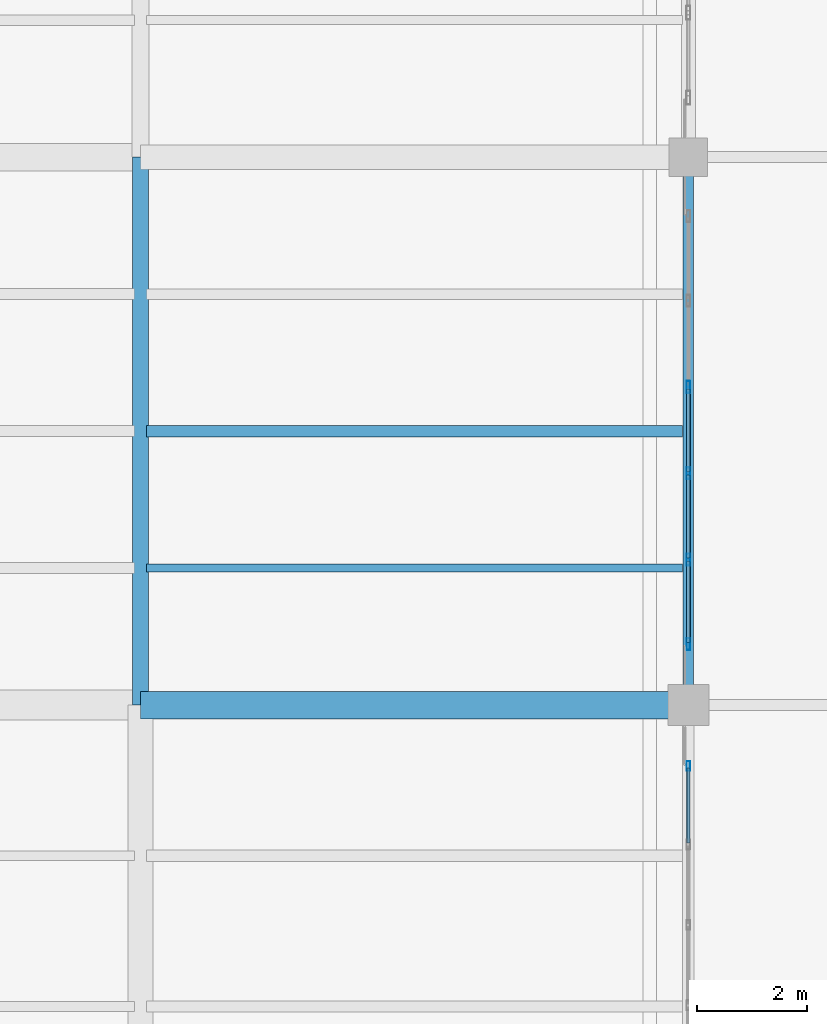
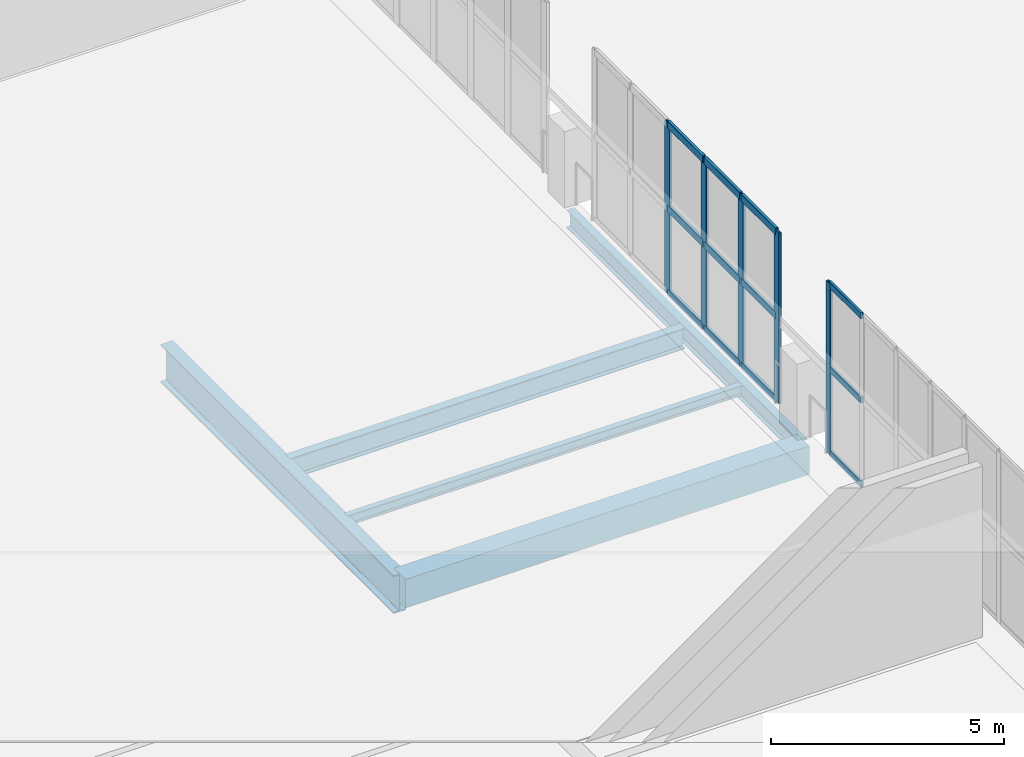
# One storey, part 70 of 136: 17 members, 5 beams, 2 elements without a shape of their own.
"""IFC4 building model written with IfcOpenShell, lengths in metres."""

from ifc_helpers import new_model, si_unit, direction, frame, origin, origin_2d, place, context, subcontext, project, spatial, rectangle, hollow_rectangle, i_section, extrude, material, layer, layer_set, material_profile, profile_set, type_object, element, aggregate, save


model = new_model("IFC4")

# Units and contexts
model_context = context("Model", 3, precision=1e-05, world=origin(), true_north=direction((0.0, 1.0)))
body_context = subcontext(model_context, "Body", "Model", "MODEL_VIEW")
ifc_project = project(units=[si_unit("LENGTHUNIT", "METRE"), si_unit("AREAUNIT", "SQUARE_METRE"), si_unit("VOLUMEUNIT", "CUBIC_METRE"), si_unit("PLANEANGLEUNIT", "RADIAN"), si_unit("MASSUNIT", "GRAM", prefix="KILO")], contexts=[model_context])

# Site, building, storey
site_placement = place(None, origin())
site = spatial("IfcSite", under=ifc_project, at=site_placement, CompositionType="ELEMENT")
building_placement = place(site_placement, origin())
building = spatial("IfcBuilding", under=site, at=building_placement, Name="Brinegate Civic Arena", CompositionType="ELEMENT")
storey_placement = place(building_placement, frame((0.0, 0.0, 5.39990234375)))
storey = spatial("IfcBuildingStorey", under=building, at=storey_placement, Name="L01", CompositionType="ELEMENT", Elevation=5.39990234375)

# Curtain wall, member
ifc_material_1 = material(Name="Marine grade aluminium", Category="aluminium")
ifc_layer = layer(ifc_material_1, 0.18505859375, Name="Marine grade aluminium")
ifc_layer_set = layer_set([ifc_layer], Name="Marine grade aluminium")
curtain_wall_type = type_object("IfcCurtainWallType", Name="CW-WING-GLAZED-03", PredefinedType="USERDEFINED", material=ifc_layer_set)
curtain_wall_1_placement = place(storey_placement, origin())
curtain_wall_1 = element("IfcCurtainWall", 1, at=curtain_wall_1_placement, inside=storey, type_object=curtain_wall_type, Name="Curtain Wall CWA-034", ObjectType="GLAZED CURTAIN WALL", PredefinedType="USERDEFINED")
ifc_material_profile_1 = material_profile(ifc_material_1, hollow_rectangle(XDim=0.06494140625, YDim=0.179931640625, WallThickness=0.0048828125, InnerFilletRadius=0.00390625, OuterFilletRadius=0.008056640625, at=origin_2d()), Name="MUL65X180")
ifc_profile_set_1 = profile_set([ifc_material_profile_1], Name="Marine grade aluminium")
member_type_1 = type_object("IfcMemberType", Name="CW-MULLION-65X180", PredefinedType="MULLION", material=ifc_profile_set_1)
member_1_placement = place(storey_placement, frame((190.0, 40.887451171875, 0.0), z_axis=(0.0, 0.0, 1.0), x_axis=(-1.0, 0.0, 0.0)))
member_1 = element("IfcMember", 2, at=member_1_placement, type_object=member_type_1, Name="CWA-034 mullion 7", PredefinedType="MULLION", context=body_context, shape_type="SweptSolid", body=[
    extrude(hollow_rectangle(XDim=0.06494140625, YDim=0.179931640625, WallThickness=0.0048828125, InnerFilletRadius=0.00390625, OuterFilletRadius=0.008056640625, at=origin_2d()), origin(), (0.0, 0.0, 1.0), 4.47021484375),
])

# Curtain wall, members
curtain_wall_2_placement = place(storey_placement, origin())
curtain_wall_2 = element("IfcCurtainWall", 3, at=curtain_wall_2_placement, inside=storey, type_object=curtain_wall_type, Name="Curtain Wall CWA-035", ObjectType="GLAZED CURTAIN WALL", PredefinedType="USERDEFINED")
ifc_material_profile_2 = material_profile(ifc_material_1, hollow_rectangle(XDim=0.06494140625, YDim=0.219970703125, WallThickness=0.006103515625, InnerFilletRadius=0.00390625, OuterFilletRadius=0.008056640625, at=origin_2d()), Name="MUL65X220")
ifc_profile_set_2 = profile_set([ifc_material_profile_2], Name="Marine grade aluminium")
member_type_2 = type_object("IfcMemberType", Name="CW-MULLION-65X220", PredefinedType="MULLION", material=ifc_profile_set_2)
member_2_placement = place(storey_placement, frame((190.0, 43.112548828125, 0.0), z_axis=(0.0, 0.0, 1.0), x_axis=(-1.0, 0.0, 0.0)))
member_2 = element("IfcMember", 4, at=member_2_placement, type_object=member_type_2, Name="CWA-035 mullion 1", PredefinedType="MULLION", context=body_context, shape_type="SweptSolid", body=[
    extrude(hollow_rectangle(XDim=0.06494140625, YDim=0.219970703125, WallThickness=0.006103515625, InnerFilletRadius=0.00390625, OuterFilletRadius=0.008056640625, at=origin_2d()), origin(), (0.0, 0.0, 1.0), 4.47021484375),
])
member_3_placement = place(storey_placement, frame((190.0, 44.655029296875, 0.0), z_axis=(0.0, 0.0, 1.0), x_axis=(-1.0, 0.0, 0.0)))
member_3 = element("IfcMember", 5, at=member_3_placement, type_object=member_type_2, Name="CWA-035 mullion 2", PredefinedType="MULLION", context=body_context, shape_type="SweptSolid", body=[
    extrude(hollow_rectangle(XDim=0.06494140625, YDim=0.219970703125, WallThickness=0.006103515625, InnerFilletRadius=0.00390625, OuterFilletRadius=0.008056640625, at=origin_2d()), origin(), (0.0, 0.0, 1.0), 4.47021484375),
])
member_4_placement = place(storey_placement, frame((190.0, 46.22998046875, 0.0), z_axis=(0.0, 0.0, 1.0), x_axis=(-1.0, 0.0, 0.0)))
member_4 = element("IfcMember", 6, at=member_4_placement, type_object=member_type_2, Name="CWA-035 mullion 3", PredefinedType="MULLION", context=body_context, shape_type="SweptSolid", body=[
    extrude(hollow_rectangle(XDim=0.06494140625, YDim=0.219970703125, WallThickness=0.006103515625, InnerFilletRadius=0.00390625, OuterFilletRadius=0.008056640625, at=origin_2d()), origin(), (0.0, 0.0, 1.0), 4.47021484375),
])
member_5_placement = place(storey_placement, frame((190.0, 47.804931640625, 0.0), z_axis=(0.0, 0.0, 1.0), x_axis=(-1.0, 0.0, 0.0)))
member_5 = element("IfcMember", 7, at=member_5_placement, type_object=member_type_2, Name="CWA-035 mullion 4", PredefinedType="MULLION", context=body_context, shape_type="SweptSolid", body=[
    extrude(hollow_rectangle(XDim=0.06494140625, YDim=0.219970703125, WallThickness=0.006103515625, InnerFilletRadius=0.00390625, OuterFilletRadius=0.008056640625, at=origin_2d()), origin(), (0.0, 0.0, 1.0), 4.47021484375),
])

# Member
ifc_material_profile_3 = material_profile(ifc_material_1, hollow_rectangle(XDim=0.06494140625, YDim=0.1650390625, WallThickness=0.0048828125, InnerFilletRadius=0.00390625, OuterFilletRadius=0.008056640625, at=origin_2d()), Name="TRN65X165")
ifc_profile_set_3 = profile_set([ifc_material_profile_3], Name="Marine grade aluminium")
member_type_3 = type_object("IfcMemberType", Name="CW-TRANSOM-65X165", PredefinedType="USERDEFINED", material=ifc_profile_set_3)
member_6_placement = place(storey_placement, frame((190.0, 39.485107421875, 0.03271484375), z_axis=(0.0, 1.0, 0.0), x_axis=(-1.0, 0.0, 0.0)))
member_6 = element("IfcMember", 8, at=member_6_placement, type_object=member_type_3, Name="CWA-034 transom 6.1", ObjectType="TRANSOM", PredefinedType="USERDEFINED", context=body_context, shape_type="SweptSolid", body=[
    extrude(hollow_rectangle(XDim=0.06494140625, YDim=0.1650390625, WallThickness=0.0048828125, InnerFilletRadius=0.00390625, OuterFilletRadius=0.008056640625, at=origin_2d()), origin(), (0.0, 0.0, 1.0), 1.369873046875),
])

member_7_placement = place(storey_placement, frame((190.0, 39.485107421875, 2.235107421875), z_axis=(0.0, 1.0, 0.0), x_axis=(-1.0, 0.0, 0.0)))
member_7 = element("IfcMember", 9, at=member_7_placement, type_object=member_type_3, Name="CWA-034 transom 6.2", ObjectType="TRANSOM", PredefinedType="USERDEFINED", context=body_context, shape_type="SweptSolid", body=[
    extrude(hollow_rectangle(XDim=0.06494140625, YDim=0.1650390625, WallThickness=0.0048828125, InnerFilletRadius=0.00390625, OuterFilletRadius=0.008056640625, at=origin_2d()), origin(), (0.0, 0.0, 1.0), 1.369873046875),
])

member_8_placement = place(storey_placement, frame((190.0, 39.485107421875, 4.4375), z_axis=(0.0, 1.0, 0.0), x_axis=(-1.0, 0.0, 0.0)))
member_8 = element("IfcMember", 10, at=member_8_placement, type_object=member_type_3, Name="CWA-034 transom 6.3", ObjectType="TRANSOM", PredefinedType="USERDEFINED", context=body_context, shape_type="SweptSolid", body=[
    extrude(hollow_rectangle(XDim=0.06494140625, YDim=0.1650390625, WallThickness=0.0048828125, InnerFilletRadius=0.00390625, OuterFilletRadius=0.008056640625, at=origin_2d()), origin(), (0.0, 0.0, 1.0), 1.369873046875),
])

aggregate(curtain_wall_1, [member_1, member_6, member_7, member_8])

ifc_material_profile_4 = material_profile(ifc_material_1, hollow_rectangle(XDim=0.074951171875, YDim=0.18994140625, WallThickness=0.006103515625, InnerFilletRadius=0.00390625, OuterFilletRadius=0.008056640625, at=origin_2d()), Name="TRN75X190")
ifc_profile_set_4 = profile_set([ifc_material_profile_4], Name="Marine grade aluminium")
member_type_4 = type_object("IfcMemberType", Name="CW-TRANSOM-75X190", PredefinedType="USERDEFINED", material=ifc_profile_set_4)
member_9_placement = place(storey_placement, frame((190.0, 43.14501953125, 0.03759765625), z_axis=(0.0, 1.0, 0.0), x_axis=(-1.0, 0.0, 0.0)))
member_9 = element("IfcMember", 11, at=member_9_placement, type_object=member_type_4, Name="CWA-035 transom 1.1", ObjectType="TRANSOM", PredefinedType="USERDEFINED", context=body_context, shape_type="SweptSolid", body=[
    extrude(hollow_rectangle(XDim=0.074951171875, YDim=0.18994140625, WallThickness=0.006103515625, InnerFilletRadius=0.00390625, OuterFilletRadius=0.008056640625, at=origin_2d()), origin(), (0.0, 0.0, 1.0), 1.4775390625),
])

member_10_placement = place(storey_placement, frame((190.0, 43.14501953125, 2.235107421875), z_axis=(0.0, 1.0, 0.0), x_axis=(-1.0, 0.0, 0.0)))
member_10 = element("IfcMember", 12, at=member_10_placement, type_object=member_type_4, Name="CWA-035 transom 1.2", ObjectType="TRANSOM", PredefinedType="USERDEFINED", context=body_context, shape_type="SweptSolid", body=[
    extrude(hollow_rectangle(XDim=0.074951171875, YDim=0.18994140625, WallThickness=0.006103515625, InnerFilletRadius=0.00390625, OuterFilletRadius=0.008056640625, at=origin_2d()), origin(), (0.0, 0.0, 1.0), 1.4775390625),
])

member_11_placement = place(storey_placement, frame((190.0, 43.14501953125, 4.4326171875), z_axis=(0.0, 1.0, 0.0), x_axis=(-1.0, 0.0, 0.0)))
member_11 = element("IfcMember", 13, at=member_11_placement, type_object=member_type_4, Name="CWA-035 transom 1.3", ObjectType="TRANSOM", PredefinedType="USERDEFINED", context=body_context, shape_type="SweptSolid", body=[
    extrude(hollow_rectangle(XDim=0.074951171875, YDim=0.18994140625, WallThickness=0.006103515625, InnerFilletRadius=0.00390625, OuterFilletRadius=0.008056640625, at=origin_2d()), origin(), (0.0, 0.0, 1.0), 1.4775390625),
])

member_12_placement = place(storey_placement, frame((190.0, 44.6875, 0.03759765625), z_axis=(0.0, 1.0, 0.0), x_axis=(-1.0, 0.0, 0.0)))
member_12 = element("IfcMember", 14, at=member_12_placement, type_object=member_type_4, Name="CWA-035 transom 2.1", ObjectType="TRANSOM", PredefinedType="USERDEFINED", context=body_context, shape_type="SweptSolid", body=[
    extrude(hollow_rectangle(XDim=0.074951171875, YDim=0.18994140625, WallThickness=0.006103515625, InnerFilletRadius=0.00390625, OuterFilletRadius=0.008056640625, at=origin_2d()), origin(), (0.0, 0.0, 1.0), 1.510009765625),
])

member_13_placement = place(storey_placement, frame((190.0, 44.6875, 2.235107421875), z_axis=(0.0, 1.0, 0.0), x_axis=(-1.0, 0.0, 0.0)))
member_13 = element("IfcMember", 15, at=member_13_placement, type_object=member_type_4, Name="CWA-035 transom 2.2", ObjectType="TRANSOM", PredefinedType="USERDEFINED", context=body_context, shape_type="SweptSolid", body=[
    extrude(hollow_rectangle(XDim=0.074951171875, YDim=0.18994140625, WallThickness=0.006103515625, InnerFilletRadius=0.00390625, OuterFilletRadius=0.008056640625, at=origin_2d()), origin(), (0.0, 0.0, 1.0), 1.510009765625),
])

member_14_placement = place(storey_placement, frame((190.0, 44.6875, 4.4326171875), z_axis=(0.0, 1.0, 0.0), x_axis=(-1.0, 0.0, 0.0)))
member_14 = element("IfcMember", 16, at=member_14_placement, type_object=member_type_4, Name="CWA-035 transom 2.3", ObjectType="TRANSOM", PredefinedType="USERDEFINED", context=body_context, shape_type="SweptSolid", body=[
    extrude(hollow_rectangle(XDim=0.074951171875, YDim=0.18994140625, WallThickness=0.006103515625, InnerFilletRadius=0.00390625, OuterFilletRadius=0.008056640625, at=origin_2d()), origin(), (0.0, 0.0, 1.0), 1.510009765625),
])

member_15_placement = place(storey_placement, frame((190.0, 46.262451171875, 0.03759765625), z_axis=(0.0, 1.0, 0.0), x_axis=(-1.0, 0.0, 0.0)))
member_15 = element("IfcMember", 17, at=member_15_placement, type_object=member_type_4, Name="CWA-035 transom 3.1", ObjectType="TRANSOM", PredefinedType="USERDEFINED", context=body_context, shape_type="SweptSolid", body=[
    extrude(hollow_rectangle(XDim=0.074951171875, YDim=0.18994140625, WallThickness=0.006103515625, InnerFilletRadius=0.00390625, OuterFilletRadius=0.008056640625, at=origin_2d()), origin(), (0.0, 0.0, 1.0), 1.510009765625),
])

member_16_placement = place(storey_placement, frame((190.0, 46.262451171875, 2.235107421875), z_axis=(0.0, 1.0, 0.0), x_axis=(-1.0, 0.0, 0.0)))
member_16 = element("IfcMember", 18, at=member_16_placement, type_object=member_type_4, Name="CWA-035 transom 3.2", ObjectType="TRANSOM", PredefinedType="USERDEFINED", context=body_context, shape_type="SweptSolid", body=[
    extrude(hollow_rectangle(XDim=0.074951171875, YDim=0.18994140625, WallThickness=0.006103515625, InnerFilletRadius=0.00390625, OuterFilletRadius=0.008056640625, at=origin_2d()), origin(), (0.0, 0.0, 1.0), 1.510009765625),
])

member_17_placement = place(storey_placement, frame((190.0, 46.262451171875, 4.4326171875), z_axis=(0.0, 1.0, 0.0), x_axis=(-1.0, 0.0, 0.0)))
member_17 = element("IfcMember", 19, at=member_17_placement, type_object=member_type_4, Name="CWA-035 transom 3.3", ObjectType="TRANSOM", PredefinedType="USERDEFINED", context=body_context, shape_type="SweptSolid", body=[
    extrude(hollow_rectangle(XDim=0.074951171875, YDim=0.18994140625, WallThickness=0.006103515625, InnerFilletRadius=0.00390625, OuterFilletRadius=0.008056640625, at=origin_2d()), origin(), (0.0, 0.0, 1.0), 1.510009765625),
])

aggregate(curtain_wall_2, [member_2, member_3, member_4, member_5, member_9, member_10, member_11, member_12, member_13, member_14, member_15, member_16, member_17])

# Beams
ifc_material_2 = material(Name="Steel S355", Category="steel")
ifc_material_profile_5 = material_profile(ifc_material_2, i_section(OverallWidth=0.300048828125, OverallDepth=1.0, WebThickness=0.01904296875, FlangeThickness=0.031982421875, FilletRadius=0.02392578125, at=origin_2d()), Name="W1000X321")
ifc_profile_set_5 = profile_set([ifc_material_profile_5], Name="Steel S355")
beam_type_1 = type_object("IfcBeamType", Name="GIRDER-W1000X321", PredefinedType="BEAM", material=ifc_profile_set_5)
beam_1_placement = place(storey_placement, frame((180.0, 42.0, -0.83984375), z_axis=(0.0, 1.0, 0.0), x_axis=(-1.0, 0.0, 0.0)))
element("IfcBeam", 20, at=beam_1_placement, inside=storey, type_object=beam_type_1, Name="Floor Girder BM-L01-GY-15-04", PredefinedType="BEAM", context=body_context, shape_type="SweptSolid", body=[
    extrude(i_section(OverallWidth=0.300048828125, OverallDepth=1.0, WebThickness=0.01904296875, FlangeThickness=0.031982421875, FilletRadius=0.02392578125, at=origin_2d()), origin(), (0.0, 0.0, 1.0), 10.0),
])
ifc_material_profile_6 = material_profile(ifc_material_2, i_section(OverallWidth=0.14794921875, OverallDepth=0.26611328125, WebThickness=0.008056640625, FlangeThickness=0.012939453125, FilletRadius=0.011962890625, at=origin_2d()), Name="W250X45")
ifc_profile_set_6 = profile_set([ifc_material_profile_6], Name="Steel S355")
beam_type_2 = type_object("IfcBeamType", Name="JOIST-W250X45", PredefinedType="JOIST", material=ifc_profile_set_6)
beam_2_placement = place(storey_placement, frame((180.10595703125, 44.5, -0.472900390625), z_axis=(1.0, 0.0, 0.0), x_axis=(0.0, 1.0, 0.0)))
element("IfcBeam", 21, at=beam_2_placement, inside=storey, type_object=beam_type_2, Name="Secondary Joist BM-L01-JX-15-04-1", PredefinedType="JOIST", context=body_context, shape_type="SweptSolid", body=[
    extrude(i_section(OverallWidth=0.14794921875, OverallDepth=0.26611328125, WebThickness=0.008056640625, FlangeThickness=0.012939453125, FilletRadius=0.011962890625, at=origin_2d()), origin(), (0.0, 0.0, 1.0), 9.7880859375),
])
ifc_material_profile_7 = material_profile(ifc_material_2, i_section(OverallWidth=0.2119140625, OverallDepth=0.5439453125, WebThickness=0.012939453125, FlangeThickness=0.02099609375, FilletRadius=0.01611328125, at=origin_2d()), Name="W530X123")
ifc_profile_set_7 = profile_set([ifc_material_profile_7], Name="Steel S355")
beam_type_3 = type_object("IfcBeamType", Name="JOIST-W530X123", PredefinedType="JOIST", material=ifc_profile_set_7)
beam_3_placement = place(storey_placement, frame((180.10595703125, 47.0, -0.61181640625), z_axis=(1.0, 0.0, 0.0), x_axis=(0.0, 1.0, 0.0)))
element("IfcBeam", 22, at=beam_3_placement, inside=storey, type_object=beam_type_3, Name="Secondary Joist BM-L01-JX-15-04-2", PredefinedType="JOIST", context=body_context, shape_type="SweptSolid", body=[
    extrude(i_section(OverallWidth=0.2119140625, OverallDepth=0.5439453125, WebThickness=0.012939453125, FlangeThickness=0.02099609375, FilletRadius=0.01611328125, at=origin_2d()), origin(), (0.0, 0.0, 1.0), 9.7880859375),
])
ifc_material_3 = material(Name="Concrete C50/60", Category="concrete")
ifc_material_profile_8 = material_profile(ifc_material_3, rectangle(XDim=0.5, YDim=0.75, at=origin_2d()), Name="RCB500X750")
ifc_profile_set_8 = profile_set([ifc_material_profile_8], Name="Concrete C50/60")
beam_type_4 = type_object("IfcBeamType", Name="RCG-500X750", PredefinedType="BEAM", material=ifc_profile_set_8)
beam_4_placement = place(storey_placement, frame((180.0, 42.0, -0.71484375), z_axis=(1.0, 0.0, 0.0), x_axis=(0.0, 1.0, 0.0)))
element("IfcBeam", 23, at=beam_4_placement, inside=storey, type_object=beam_type_4, Name="Floor Girder BM-L01-GX-15-04", PredefinedType="BEAM", context=body_context, shape_type="SweptSolid", body=[
    extrude(rectangle(XDim=0.5, YDim=0.75, at=origin_2d()), origin(), (0.0, 0.0, 1.0), 10.0),
])
ifc_material_profile_9 = material_profile(ifc_material_2, i_section(OverallWidth=0.193115234375, OverallDepth=0.466064453125, WebThickness=0.010986328125, FlangeThickness=0.01904296875, FilletRadius=0.014892578125, at=origin_2d()), Name="W460X97")
ifc_profile_set_9 = profile_set([ifc_material_profile_9], Name="Steel S355")
beam_type_5 = type_object("IfcBeamType", Name="SPANDREL-W460X97", PredefinedType="SPANDREL", material=ifc_profile_set_9)
beam_5_placement = place(storey_placement, frame((190.0, 42.0, -0.572998046875), z_axis=(0.0, 1.0, 0.0), x_axis=(-1.0, 0.0, 0.0)))
element("IfcBeam", 24, at=beam_5_placement, inside=storey, type_object=beam_type_5, Name="Floor Girder BM-L01-GY-16-04", PredefinedType="SPANDREL", context=body_context, shape_type="SweptSolid", body=[
    extrude(i_section(OverallWidth=0.193115234375, OverallDepth=0.466064453125, WebThickness=0.010986328125, FlangeThickness=0.01904296875, FilletRadius=0.014892578125, at=origin_2d()), origin(), (0.0, 0.0, 1.0), 10.0),
])

save(model, "model.ifc")
